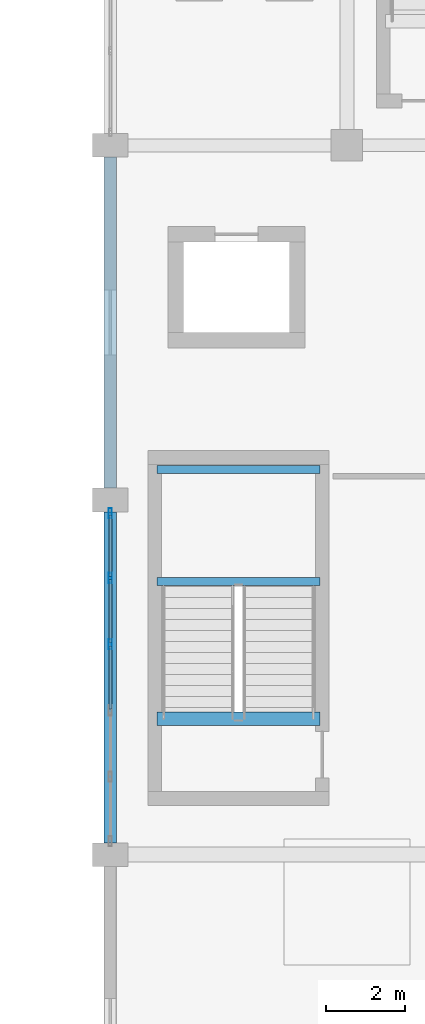
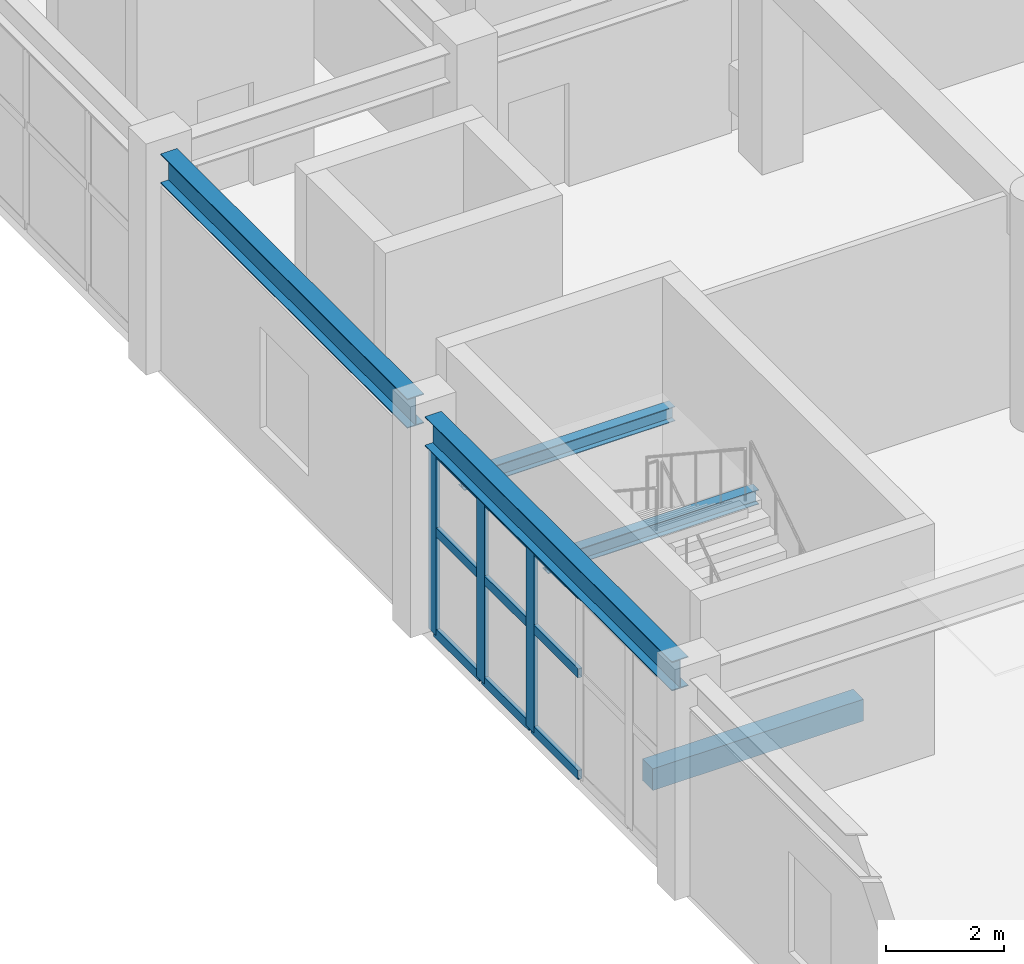
# One storey, part 6 of 96: 12 members, 5 beams, 1 element without a shape of its own.
"""IFC4 building model written with IfcOpenShell, lengths in metres."""

import ifcopenshell
import ifcopenshell.guid

model = None  # the IFC model being written
_history = None  # IfcOwnerHistory: only IFC2X3 demands one
_inside = {}  # id of a spatial element -> (the spatial element, [elements in it])
_under = {}  # id of a project, library or spatial element -> (it, [spatial elements below it])
_declared = {}  # id of a project -> (the project, [libraries it declares])
_typed = {}  # id of a type object -> (the type object, [elements of that type])
_made_of = {}  # id of a material, layer set ... -> (it, [elements and type objects made of it])


def new_model(schema):
    """Start an empty IFC model of exactly this schema.

    Asked for "IFC4X3", IfcOpenShell would pick the latest addendum, in which some entities
    have other attributes; the version numbers below select the first issue.
    IFC2X3 requires an IfcOwnerHistory on every rooted entity: one is made here for all.
    """
    global model, _history
    if schema == "IFC4X3":
        model = ifcopenshell.file(schema_version=(4, 3, 0, 0))
    else:
        model = ifcopenshell.file(schema=schema)
    _inside.clear()
    _under.clear()
    _declared.clear()
    _typed.clear()
    _made_of.clear()
    _history = None
    if model.schema == "IFC2X3":
        org = make("IfcOrganization", Name="unknown")
        user = make(
            "IfcPersonAndOrganization",
            ThePerson=make("IfcPerson", FamilyName="unknown"),
            TheOrganization=org,
        )
        app = make(
            "IfcApplication",
            ApplicationDeveloper=org,
            Version="unknown",
            ApplicationFullName="unknown",
            ApplicationIdentifier="unknown",
        )
        _history = make(
            "IfcOwnerHistory",
            OwningUser=user,
            OwningApplication=app,
            ChangeAction="ADDED",
            CreationDate=0,
        )
    return model


def make(cls, **values):
    """One entity of the class cls with the attributes given. An attribute that is None is left unset."""
    return model.create_entity(
        cls, **{name: value for name, value in values.items() if value is not None}
    )


def rooted(cls, **values):
    """An entity with a GlobalId (a new one), such as an element, a storey or a relation."""
    return make(cls, GlobalId=ifcopenshell.guid.new(), OwnerHistory=_history, **values)


def si_unit(unit_type, name, prefix=None):
    """IfcSIUnit, for example si_unit("LENGTHUNIT", "METRE", prefix="MILLI")."""
    return make("IfcSIUnit", UnitType=unit_type, Prefix=prefix, Name=name)


def assignment(units):
    """IfcUnitAssignment: the units of a project."""
    return None if units is None else make("IfcUnitAssignment", Units=units)


def point(xyz):
    """IfcCartesianPoint."""
    return None if xyz is None else make("IfcCartesianPoint", Coordinates=xyz)


def direction(xyz):
    """IfcDirection."""
    return None if xyz is None else make("IfcDirection", DirectionRatios=xyz)


def frame(location, z_axis=None, x_axis=None):
    """IfcAxis2Placement3D, a coordinate frame: its origin and axes. An axis left out is left unset."""
    return make(
        "IfcAxis2Placement3D",
        Location=point(location),
        Axis=direction(z_axis),
        RefDirection=direction(x_axis),
    )


def frame_2d(location, x_axis=None):
    """IfcAxis2Placement2D, a coordinate frame in the plane: its origin and x axis."""
    return make(
        "IfcAxis2Placement2D", Location=point(location), RefDirection=direction(x_axis)
    )


def origin():
    """The frame at (0, 0, 0) with its axes left unset."""
    return frame((0.0, 0.0, 0.0))


def origin_2d():
    """The frame at (0, 0) in the plane with its x axis left unset."""
    return frame_2d((0.0, 0.0))


def place(relative_to, where):
    """IfcLocalPlacement: puts the frame where relative to a parent placement (None: the world)."""
    return make(
        "IfcLocalPlacement", PlacementRelTo=relative_to, RelativePlacement=where
    )


def context(
    kind, dimensions, precision=None, world=None, true_north=None, identifier=None
):
    """IfcGeometricRepresentationContext, for example the 3D "Model" context."""
    return make(
        "IfcGeometricRepresentationContext",
        ContextIdentifier=identifier,
        ContextType=kind,
        CoordinateSpaceDimension=dimensions,
        Precision=precision,
        WorldCoordinateSystem=world,
        TrueNorth=true_north,
    )


def subcontext(parent, identifier, kind, view, scale=None):
    """IfcGeometricRepresentationSubContext, for example "Body" below "Model"."""
    return make(
        "IfcGeometricRepresentationSubContext",
        ContextIdentifier=identifier,
        ContextType=kind,
        ParentContext=parent,
        TargetScale=scale,
        TargetView=view,
    )


def project(units=None, contexts=None):
    """IfcProject with its units and contexts."""
    return rooted(
        "IfcProject",
        Name="project",
        RepresentationContexts=contexts,
        UnitsInContext=assignment(units),
    )


def spatial(cls, under=None, at=None, **own):
    """A site, building, storey or space (cls), placed at a placement, below another one or the project."""
    s = rooted(cls, ObjectPlacement=at, **own)
    if under is not None:
        _under.setdefault(under.id(), (under, []))[1].append(s)
    return s


def profile(cls, at=None, kind="AREA", **sizes):
    """A parametric profile (cls). Its sizes go by their IFC names, for example OverallWidth=200.0."""
    return make(cls, ProfileType=kind, Position=at, **sizes)


def rectangle(**sizes):
    """IfcRectangleProfileDef."""
    return profile("IfcRectangleProfileDef", **sizes)


def hollow_rectangle(**sizes):
    """IfcRectangleHollowProfileDef."""
    return profile("IfcRectangleHollowProfileDef", **sizes)


def i_section(**sizes):
    """IfcIShapeProfileDef."""
    return profile("IfcIShapeProfileDef", **sizes)


def extrude(swept, where, along, depth):
    """IfcExtrudedAreaSolid: the profile swept, set in the frame where, extruded along a direction by depth."""
    return make(
        "IfcExtrudedAreaSolid",
        SweptArea=swept,
        Position=where,
        ExtrudedDirection=direction(along),
        Depth=depth,
    )


def shape(context_of_items, identifier, shape_type, items):
    """IfcShapeRepresentation: the items that make up one representation, for example the "Body"."""
    return make(
        "IfcShapeRepresentation",
        ContextOfItems=context_of_items,
        RepresentationIdentifier=identifier,
        RepresentationType=shape_type,
        Items=items,
    )


def material(Name=None, Category=None):
    """IfcMaterial."""
    return make("IfcMaterial", Name=Name, Category=Category)


def layer(
    of_material, thickness, ventilated=None, Name=None, Category=None, Priority=None
):
    """IfcMaterialLayer: one layer of a wall or slab, of a material (None: an air gap)."""
    return make(
        "IfcMaterialLayer",
        Material=of_material,
        LayerThickness=thickness,
        IsVentilated=ventilated,
        Name=Name,
        Category=Category,
        Priority=Priority,
    )


def layer_set(layers, Name=None):
    """IfcMaterialLayerSet."""
    return make("IfcMaterialLayerSet", MaterialLayers=layers, LayerSetName=Name)


def material_profile(
    of_material, cross_section, Name=None, Category=None, Priority=None
):
    """IfcMaterialProfile: a cross section and its material."""
    return make(
        "IfcMaterialProfile",
        Name=Name,
        Material=of_material,
        Profile=cross_section,
        Priority=Priority,
        Category=Category,
    )


def profile_set(profiles, Name=None, composite=None):
    """IfcMaterialProfileSet."""
    return make(
        "IfcMaterialProfileSet",
        Name=Name,
        MaterialProfiles=profiles,
        CompositeProfile=composite,
    )


def made_of(thing, what):
    """Note that an element or type object is made of a material, layer set ...; save() writes the relation."""
    if what is not None:
        _made_of.setdefault(what.id(), (what, []))[1].append(thing)
    return thing


def type_object(cls, material=None, **own):
    """A type object (cls), such as IfcWallType, which elements share."""
    return made_of(rooted(cls, **own), material)


def element(
    cls,
    number,
    at=None,
    inside=None,
    cuts=None,
    type_object=None,
    material=None,
    context=None,
    identifier="Body",
    shape_type=None,
    held_by="IfcProductDefinitionShape",
    body=None,
    shapes=None,
    **own,
):
    """One element of the class cls, such as IfcWall. Its Tag is "e" and its number.

    at: its placement. inside: the storey or other place that contains it. cuts: it is an
    opening in that element (IfcRelVoidsElement). A single representation is given by context,
    identifier, shape_type and body (its items); several are given by shapes. held_by: the class
    of the entity that holds the representations. save() writes the other relations.
    """
    e = rooted(cls, Tag="e%d" % number, ObjectPlacement=at, **own)
    if body is not None:
        shapes = [shape(context, identifier, shape_type, body)]
    if shapes is not None:
        e.Representation = make(held_by, Representations=shapes)
    if inside is not None:
        _inside.setdefault(inside.id(), (inside, []))[1].append(e)
    if cuts is not None:
        rooted(
            "IfcRelVoidsElement", RelatingBuildingElement=cuts, RelatedOpeningElement=e
        )
    if type_object is not None:
        _typed.setdefault(type_object.id(), (type_object, []))[1].append(e)
    return made_of(e, material)


def aggregate(whole, parts):
    """IfcRelAggregates: a whole, such as a stair, and the parts it consists of."""
    return rooted("IfcRelAggregates", RelatingObject=whole, RelatedObjects=parts)


def save(model, path):
    """Write the relations noted so far, then the file.

    IfcRelAggregates (storeys below a building ...), IfcRelContainedInSpatialStructure (elements
    in a storey), IfcRelDefinesByType, IfcRelAssociatesMaterial and IfcRelDeclares: one each for
    every whole, place, type object, material and project.
    """
    for whole, parts in _under.values():
        aggregate(whole, parts)
    for where, things in _inside.values():
        rooted(
            "IfcRelContainedInSpatialStructure",
            RelatedElements=things,
            RelatingStructure=where,
        )
    for kind, things in _typed.values():
        rooted("IfcRelDefinesByType", RelatedObjects=things, RelatingType=kind)
    for what, things in _made_of.values():
        rooted("IfcRelAssociatesMaterial", RelatedObjects=things, RelatingMaterial=what)
    for by, libraries in _declared.values():
        rooted("IfcRelDeclares", RelatingContext=by, RelatedDefinitions=libraries)
    model.write(path)


model = new_model("IFC4")

# Units and contexts
model_context = context("Model", 3, precision=1e-05, world=origin(), true_north=direction((0.0, 1.0)))
body_context = subcontext(model_context, "Body", "Model", "MODEL_VIEW")
ifc_project = project(units=[si_unit("LENGTHUNIT", "METRE"), si_unit("AREAUNIT", "SQUARE_METRE"), si_unit("VOLUMEUNIT", "CUBIC_METRE"), si_unit("PLANEANGLEUNIT", "RADIAN"), si_unit("MASSUNIT", "GRAM", prefix="KILO")], contexts=[model_context])

# Site, building, storey
site_placement = place(None, origin())
site = spatial("IfcSite", under=ifc_project, at=site_placement, CompositionType="ELEMENT")
building_placement = place(site_placement, origin())
building = spatial("IfcBuilding", under=site, at=building_placement, Name="Vaelkrest Opera House", CompositionType="ELEMENT")
storey_placement = place(building_placement, frame((0.0, 0.0, 5.39990234375)))
storey = spatial("IfcBuildingStorey", under=building, at=storey_placement, Name="L01", CompositionType="ELEMENT", Elevation=5.39990234375)

# Curtain wall, members
ifc_material_1 = material(Name="Dark bronze anodized aluminium", Category="aluminium")
ifc_layer = layer(ifc_material_1, 0.2099609375)
ifc_layer_set = layer_set([ifc_layer], Name="Dark bronze anodized aluminium")
curtain_wall_type = type_object("IfcCurtainWallType", Name="CW04", PredefinedType="NOTDEFINED", material=ifc_layer_set)
curtain_wall_placement = place(storey_placement, origin())
curtain_wall = element("IfcCurtainWall", 1, at=curtain_wall_placement, inside=storey, type_object=curtain_wall_type, Name="Curtain wall CW-L01-025", PredefinedType="NOTDEFINED")
ifc_material_profile_1 = material_profile(ifc_material_1, hollow_rectangle(XDim=0.080078125, YDim=0.260009765625, WallThickness=0.0048828125, at=origin_2d()), Name="CWM80X260")
ifc_profile_set_1 = profile_set([ifc_material_profile_1], Name="Dark bronze anodized aluminium")
member_type_1 = type_object("IfcMemberType", Name="CWM04", PredefinedType="MULLION", material=ifc_profile_set_1)
member_1_placement = place(storey_placement, frame((-30.0, -41.459716796875, 0.0), z_axis=(0.0, 0.0, 1.0), x_axis=(-1.0, 0.0, 0.0)))
member_1 = element("IfcMember", 2, at=member_1_placement, type_object=member_type_1, Name="CW04 mullion 4", PredefinedType="MULLION", context=body_context, shape_type="SweptSolid", body=[
    extrude(hollow_rectangle(XDim=0.080078125, YDim=0.260009765625, WallThickness=0.0048828125, at=origin_2d()), origin(), (0.0, 0.0, 1.0), 3.82421875),
])
member_2_placement = place(storey_placement, frame((-30.0, -39.77880859375, 0.0), z_axis=(0.0, 0.0, 1.0), x_axis=(-1.0, 0.0, 0.0)))
member_2 = element("IfcMember", 3, at=member_2_placement, type_object=member_type_1, Name="CW04 mullion 5", PredefinedType="MULLION", context=body_context, shape_type="SweptSolid", body=[
    extrude(hollow_rectangle(XDim=0.080078125, YDim=0.260009765625, WallThickness=0.0048828125, at=origin_2d()), origin(), (0.0, 0.0, 1.0), 3.82421875),
])
member_3_placement = place(storey_placement, frame((-30.0, -38.137939453125, 0.0), z_axis=(0.0, 0.0, 1.0), x_axis=(-1.0, 0.0, 0.0)))
member_3 = element("IfcMember", 4, at=member_3_placement, type_object=member_type_1, Name="CW04 mullion 6", PredefinedType="MULLION", context=body_context, shape_type="SweptSolid", body=[
    extrude(hollow_rectangle(XDim=0.080078125, YDim=0.260009765625, WallThickness=0.0048828125, at=origin_2d()), origin(), (0.0, 0.0, 1.0), 3.82421875),
])
ifc_material_profile_2 = material_profile(ifc_material_1, hollow_rectangle(XDim=0.080078125, YDim=0.18994140625, WallThickness=0.0048828125, at=origin_2d()), Name="CWT80X190")
ifc_profile_set_2 = profile_set([ifc_material_profile_2], Name="Dark bronze anodized aluminium")
member_type_2 = type_object("IfcMemberType", Name="CWT04", PredefinedType="USERDEFINED", material=ifc_profile_set_2)
member_4_placement = place(storey_placement, frame((-30.0, -43.100341796875, 0.0400390625), z_axis=(0.0, 1.0, 0.0), x_axis=(-1.0, 0.0, 0.0)))
member_4 = element("IfcMember", 5, at=member_4_placement, type_object=member_type_2, Name="CW04 transom 3.1", ObjectType="TRANSOM", PredefinedType="USERDEFINED", context=body_context, shape_type="SweptSolid", body=[
    extrude(hollow_rectangle(XDim=0.080078125, YDim=0.18994140625, WallThickness=0.0048828125, at=origin_2d()), origin(), (0.0, 0.0, 1.0), 1.600830078125),
])
member_5_placement = place(storey_placement, frame((-30.0, -43.100341796875, 2.150146484375), z_axis=(0.0, 1.0, 0.0), x_axis=(-1.0, 0.0, 0.0)))
member_5 = element("IfcMember", 6, at=member_5_placement, type_object=member_type_2, Name="CW04 transom 3.2", ObjectType="TRANSOM", PredefinedType="USERDEFINED", context=body_context, shape_type="SweptSolid", body=[
    extrude(hollow_rectangle(XDim=0.080078125, YDim=0.18994140625, WallThickness=0.0048828125, at=origin_2d()), origin(), (0.0, 0.0, 1.0), 1.600830078125),
])
member_6_placement = place(storey_placement, frame((-30.0, -43.100341796875, 3.7841796875), z_axis=(0.0, 1.0, 0.0), x_axis=(-1.0, 0.0, 0.0)))
member_6 = element("IfcMember", 7, at=member_6_placement, type_object=member_type_2, Name="CW04 transom 3.3", ObjectType="TRANSOM", PredefinedType="USERDEFINED", context=body_context, shape_type="SweptSolid", body=[
    extrude(hollow_rectangle(XDim=0.080078125, YDim=0.18994140625, WallThickness=0.0048828125, at=origin_2d()), origin(), (0.0, 0.0, 1.0), 1.600830078125),
])
member_7_placement = place(storey_placement, frame((-30.0, -41.419677734375, 0.0400390625), z_axis=(0.0, 1.0, 0.0), x_axis=(-1.0, 0.0, 0.0)))
member_7 = element("IfcMember", 8, at=member_7_placement, type_object=member_type_2, Name="CW04 transom 4.1", ObjectType="TRANSOM", PredefinedType="USERDEFINED", context=body_context, shape_type="SweptSolid", body=[
    extrude(hollow_rectangle(XDim=0.080078125, YDim=0.18994140625, WallThickness=0.0048828125, at=origin_2d()), origin(), (0.0, 0.0, 1.0), 1.600830078125),
])
member_8_placement = place(storey_placement, frame((-30.0, -41.419677734375, 2.150146484375), z_axis=(0.0, 1.0, 0.0), x_axis=(-1.0, 0.0, 0.0)))
member_8 = element("IfcMember", 9, at=member_8_placement, type_object=member_type_2, Name="CW04 transom 4.2", ObjectType="TRANSOM", PredefinedType="USERDEFINED", context=body_context, shape_type="SweptSolid", body=[
    extrude(hollow_rectangle(XDim=0.080078125, YDim=0.18994140625, WallThickness=0.0048828125, at=origin_2d()), origin(), (0.0, 0.0, 1.0), 1.600830078125),
])
member_9_placement = place(storey_placement, frame((-30.0, -41.419677734375, 3.7841796875), z_axis=(0.0, 1.0, 0.0), x_axis=(-1.0, 0.0, 0.0)))
member_9 = element("IfcMember", 10, at=member_9_placement, type_object=member_type_2, Name="CW04 transom 4.3", ObjectType="TRANSOM", PredefinedType="USERDEFINED", context=body_context, shape_type="SweptSolid", body=[
    extrude(hollow_rectangle(XDim=0.080078125, YDim=0.18994140625, WallThickness=0.0048828125, at=origin_2d()), origin(), (0.0, 0.0, 1.0), 1.600830078125),
])
member_10_placement = place(storey_placement, frame((-30.0, -39.73876953125, 0.0400390625), z_axis=(0.0, 1.0, 0.0), x_axis=(-1.0, 0.0, 0.0)))
member_10 = element("IfcMember", 11, at=member_10_placement, type_object=member_type_2, Name="CW04 transom 5.1", ObjectType="TRANSOM", PredefinedType="USERDEFINED", context=body_context, shape_type="SweptSolid", body=[
    extrude(hollow_rectangle(XDim=0.080078125, YDim=0.18994140625, WallThickness=0.0048828125, at=origin_2d()), origin(), (0.0, 0.0, 1.0), 1.560791015625),
])
member_11_placement = place(storey_placement, frame((-30.0, -39.73876953125, 2.150146484375), z_axis=(0.0, 1.0, 0.0), x_axis=(-1.0, 0.0, 0.0)))
member_11 = element("IfcMember", 12, at=member_11_placement, type_object=member_type_2, Name="CW04 transom 5.2", ObjectType="TRANSOM", PredefinedType="USERDEFINED", context=body_context, shape_type="SweptSolid", body=[
    extrude(hollow_rectangle(XDim=0.080078125, YDim=0.18994140625, WallThickness=0.0048828125, at=origin_2d()), origin(), (0.0, 0.0, 1.0), 1.560791015625),
])
member_12_placement = place(storey_placement, frame((-30.0, -39.73876953125, 3.7841796875), z_axis=(0.0, 1.0, 0.0), x_axis=(-1.0, 0.0, 0.0)))
member_12 = element("IfcMember", 13, at=member_12_placement, type_object=member_type_2, Name="CW04 transom 5.3", ObjectType="TRANSOM", PredefinedType="USERDEFINED", context=body_context, shape_type="SweptSolid", body=[
    extrude(hollow_rectangle(XDim=0.080078125, YDim=0.18994140625, WallThickness=0.0048828125, at=origin_2d()), origin(), (0.0, 0.0, 1.0), 1.560791015625),
])
aggregate(curtain_wall, [member_1, member_2, member_3, member_4, member_5, member_6, member_7, member_8, member_9, member_10, member_11, member_12])

# Beams
ifc_material_2 = material(Name="Steel A992 Gr50", Category="steel")
ifc_material_profile_3 = material_profile(ifc_material_2, i_section(OverallWidth=0.202880859375, OverallDepth=0.302978515625, WebThickness=0.007568359375, FlangeThickness=0.01318359375, at=origin_2d()), Name="W12X40")
ifc_profile_set_3 = profile_set([ifc_material_profile_3], Name="Steel A992 Gr50")
beam_type_1 = type_object("IfcBeamType", Name="J02", PredefinedType="JOIST", material=ifc_profile_set_3)
for number, where, z_axis, x_axis, name in (
    (14, (-28.820068359375, -39.8701171875, 2.048583984375), (1.0, 0.0, 0.0), (0.0, 1.0, 0.0), "Stair landing bearer beam ST03 L01-1N"),
    (15, (-28.820068359375, -37.02001953125, 2.048583984375), (1.0, 0.0, 0.0), (0.0, 1.0, 0.0), "Stair landing bearer beam ST03 L01-1F"),
):
    element("IfcBeam", number, at=place(storey_placement, frame(where, z_axis=z_axis, x_axis=x_axis)), inside=storey, type_object=beam_type_1, Name=name, PredefinedType="JOIST", context=body_context, shape_type="SweptSolid", body=[
        extrude(i_section(OverallWidth=0.202880859375, OverallDepth=0.302978515625, WebThickness=0.007568359375, FlangeThickness=0.01318359375, at=origin_2d()), origin(), (0.0, 0.0, 1.0), 4.14013671875),
    ])
ifc_material_3 = material(Name="Concrete C50/60", Category="concrete")
ifc_material_profile_4 = material_profile(ifc_material_3, rectangle(XDim=0.35009765625, YDim=0.449951171875, at=origin_2d()), Name="RCB350X450")
ifc_profile_set_4 = profile_set([ifc_material_profile_4], Name="Concrete C50/60")
beam_type_2 = type_object("IfcBeamType", Name="LN01", PredefinedType="LINTEL", material=ifc_profile_set_4)
beam_placement = place(storey_placement, frame((-28.820068359375, -43.35009765625, -0.224853515625), z_axis=(1.0, 0.0, 0.0), x_axis=(0.0, 1.0, 0.0)))
element("IfcBeam", 16, at=beam_placement, inside=storey, type_object=beam_type_2, Name="Stairwell trimmer beam ST03 L01", PredefinedType="LINTEL", context=body_context, shape_type="SweptSolid", body=[
    extrude(rectangle(XDim=0.35009765625, YDim=0.449951171875, at=origin_2d()), origin(), (0.0, 0.0, 1.0), 4.14013671875),
])
ifc_material_profile_5 = material_profile(ifc_material_2, i_section(OverallWidth=0.323974609375, OverallDepth=0.611083984375, WebThickness=0.0126953125, FlangeThickness=0.01904296875, at=origin_2d()), Name="W24X104")
ifc_profile_set_5 = profile_set([ifc_material_profile_5], Name="Steel A992 Gr50")
beam_type_3 = type_object("IfcBeamType", Name="SP01", PredefinedType="SPANDREL", material=ifc_profile_set_5)
for number, where, z_axis, x_axis, name in (
    (17, (-30.0, -46.5, 4.194580078125), (0.0, 1.0, 0.0), (-1.0, 0.0, 0.0), "Beam BM-V1-L01-0258"),
    (18, (-30.0, -37.5, 4.194580078125), (0.0, 1.0, 0.0), (-1.0, 0.0, 0.0), "Beam BM-V1-L01-0259"),
):
    element("IfcBeam", number, at=place(storey_placement, frame(where, z_axis=z_axis, x_axis=x_axis)), inside=storey, type_object=beam_type_3, Name=name, PredefinedType="SPANDREL", context=body_context, shape_type="SweptSolid", body=[
        extrude(i_section(OverallWidth=0.323974609375, OverallDepth=0.611083984375, WebThickness=0.0126953125, FlangeThickness=0.01904296875, at=origin_2d()), origin(), (0.0, 0.0, 1.0), 8.39990234375),
    ])

save(model, "model.ifc")
